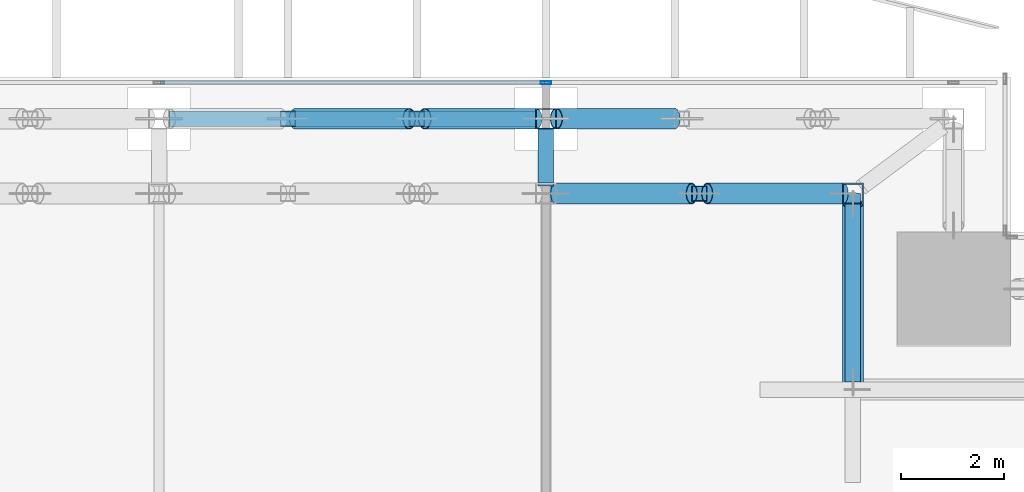
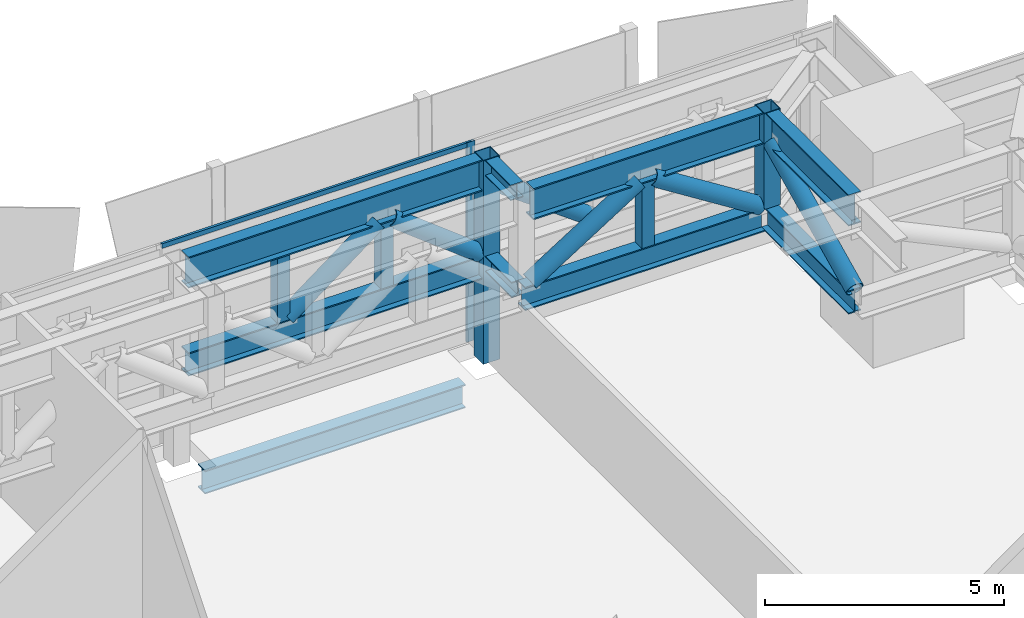
# One storey, part 26 of 39: 19 members, 3 beams, 1 element without a shape of its own.
"""IFC4 building model written with IfcOpenShell, lengths in metres."""

from ifc_helpers import new_model, si_unit, direction, frame, origin, origin_2d, place, context, subcontext, project, spatial, hollow_rectangle, hollow_circle, i_section, extrude, source, transform, mapped, material, material_profile, profile_set, type_object, element, aggregate, save


model = new_model("IFC4")

# Units and contexts
model_context = context("Model", 3, precision=1e-05, world=origin(), true_north=direction((0.0, 1.0)))
body_context = subcontext(model_context, "Body", "Model", "MODEL_VIEW")
ifc_project = project(units=[si_unit("LENGTHUNIT", "METRE"), si_unit("AREAUNIT", "SQUARE_METRE"), si_unit("VOLUMEUNIT", "CUBIC_METRE"), si_unit("PLANEANGLEUNIT", "RADIAN"), si_unit("MASSUNIT", "GRAM", prefix="KILO")], contexts=[model_context])

# Site, building, storey
site_placement = place(None, origin())
site = spatial("IfcSite", under=ifc_project, at=site_placement, CompositionType="ELEMENT")
building_placement = place(site_placement, origin())
building = spatial("IfcBuilding", under=site, at=building_placement, Name="Khomas Fold Tower", CompositionType="ELEMENT")
storey_placement = place(building_placement, frame((0.0, 0.0, 96.0)))
storey = spatial("IfcBuildingStorey", under=building, at=storey_placement, Name="L20", CompositionType="ELEMENT", Elevation=96.0)

# Beam
ifc_material_1 = material(Name="Steel S355", Category="steel")
ifc_material_profile_1 = material_profile(ifc_material_1, i_section(OverallWidth=0.300048828125, OverallDepth=0.60009765625, WebThickness=0.015380859375, FlangeThickness=0.030029296875, at=origin_2d()), Name="HE 600 B")
ifc_profile_set_1 = profile_set([ifc_material_profile_1], Name="Steel S355")
beam_type_1 = type_object("IfcBeamType", Name="HE 600 B spandrel SB1", PredefinedType="SPANDREL", material=ifc_profile_set_1)
shared_shape_1 = source(origin(), body_context, "Body", "SweptSolid", [
    extrude(i_section(OverallWidth=0.300048828125, OverallDepth=0.60009765625, WebThickness=0.015380859375, FlangeThickness=0.030029296875, at=origin_2d()), origin(), (0.0, 0.0, 1.0), 6.2998046875),
])
beam_1_placement = place(storey_placement, frame((35.10009765625, 53.199951171875, -0.699951171875), z_axis=(1.0, 0.0, 0.0), x_axis=(0.0, 1.0, 0.0)))
element("IfcBeam", 1, at=beam_1_placement, inside=storey, type_object=beam_type_1, Name="SB1", PredefinedType="SPANDREL", context=body_context, shape_type="MappedRepresentation", body=[
    mapped(shared_shape_1, transform((0.0, 0.0, 0.0))),
])

# Members
ifc_material_2 = material(Name="Steel S355", Category="steel")
ifc_material_profile_2 = material_profile(ifc_material_2, hollow_circle(Radius=0.203125, WallThickness=0.01611328125, at=origin_2d()), Name="CHS 406.4x16")
ifc_profile_set_2 = profile_set([ifc_material_profile_2], Name="Steel S355")
member_type_1 = type_object("IfcMemberType", Name="BELT TRUSS 1 DIAGONAL CHS 406.4x16", PredefinedType="BRACE", material=ifc_profile_set_2)
shared_shape_2 = source(origin(), body_context, "Body", "SweptSolid", [
    extrude(hollow_circle(Radius=0.203125, WallThickness=0.01611328125, at=origin_2d()), origin(), (0.0, 0.0, 1.0), 2.822998046875),
])
member_1_placement = place(storey_placement, frame((44.4833984375, 53.199951171875, 2.7451171875), z_axis=(-0.808866956084, 0.0, 0.587991706876), x_axis=(0.0, -1.0, 0.0)))
element("IfcMember", 2, at=member_1_placement, inside=storey, type_object=member_type_1, Name="BT1-D", PredefinedType="BRACE", context=body_context, shape_type="MappedRepresentation", body=[
    mapped(shared_shape_2, transform((0.0, 0.0, 0.0))),
])
ifc_material_3 = material(Name="Steel S355", Category="steel")
ifc_material_profile_3 = material_profile(ifc_material_3, hollow_rectangle(XDim=0.300048828125, YDim=0.300048828125, WallThickness=0.01611328125, at=origin_2d()), Name="SHS 300x300x16")
ifc_profile_set_3 = profile_set([ifc_material_profile_3], Name="Steel S355")
member_type_2 = type_object("IfcMemberType", Name="BELT TRUSS 1 MID POST SHS 300x300x16", PredefinedType="POST", material=ifc_profile_set_3)
shared_shape_3 = source(origin(), body_context, "Body", "SweptSolid", [
    extrude(hollow_rectangle(XDim=0.300048828125, YDim=0.300048828125, WallThickness=0.01611328125, at=origin_2d()), origin(), (0.0, 0.0, 1.0), 1.64990234375),
])
for number, where, z_axis, x_axis, name in (
    (3, (39.5, 53.199951171875, 2.75), (0.0, 0.0, 1.0), (1.0, 0.0, 0.0), "BT1-M"),
    (4, (37.0, 53.199951171875, 2.75), (0.0, 0.0, 1.0), (1.0, 0.0, 0.0), "BT1-M"),
    (5, (44.97509765625, 51.75, 2.75), (0.0, 0.0, 1.0), (1.0, 0.0, 0.0), "BT1-M"),
):
    element("IfcMember", number, at=place(storey_placement, frame(where, z_axis=z_axis, x_axis=x_axis)), inside=storey, type_object=member_type_2, Name=name, PredefinedType="POST", context=body_context, shape_type="MappedRepresentation", body=[
        mapped(shared_shape_3, transform((0.0, 0.0, 0.0))),
    ])
ifc_material_4 = material(Name="Steel S460M", Category="steel")
ifc_material_profile_4 = material_profile(ifc_material_4, i_section(OverallWidth=0.300048828125, OverallDepth=0.800048828125, WebThickness=0.017578125, FlangeThickness=0.032958984375, at=origin_2d()), Name="HE 800 B")
ifc_profile_set_4 = profile_set([ifc_material_profile_4], Name="Steel S460M")
member_type_3 = type_object("IfcMemberType", Name="BELT TRUSS 1 TOP CHORD HE 800 B", PredefinedType="CHORD", material=ifc_profile_set_4)
shared_shape_4 = source(origin(), body_context, "Body", "SweptSolid", [
    extrude(i_section(OverallWidth=0.300048828125, OverallDepth=0.800048828125, WebThickness=0.017578125, FlangeThickness=0.032958984375, at=origin_2d()), origin(), (0.0, 0.0, 1.0), 7.10009765625),
])
member_2_placement = place(storey_placement, frame((41.800048828125, 53.199951171875, 4.800048828125), z_axis=(-1.0, 0.0, 0.0), x_axis=(0.0, -1.0, 0.0)))
element("IfcMember", 6, at=member_2_placement, inside=storey, type_object=member_type_3, Name="BT1-CT", PredefinedType="CHORD", context=body_context, shape_type="MappedRepresentation", body=[
    mapped(shared_shape_4, transform((0.0, 0.0, 0.0))),
])
ifc_material_5 = material(Name="Steel S355", Category="steel")
ifc_material_profile_5 = material_profile(ifc_material_5, i_section(OverallWidth=0.300048828125, OverallDepth=0.60009765625, WebThickness=0.015380859375, FlangeThickness=0.030029296875, at=origin_2d()), Name="HE 600 B")
ifc_profile_set_5 = profile_set([ifc_material_profile_5], Name="Steel S355")
member_type_4 = type_object("IfcMemberType", Name="BELT TRUSS 1 BOTTOM CHORD HE 600 B", PredefinedType="CHORD", material=ifc_profile_set_5)
shared_shape_5 = source(origin(), body_context, "Body", "SweptSolid", [
    extrude(i_section(OverallWidth=0.300048828125, OverallDepth=0.60009765625, WebThickness=0.015380859375, FlangeThickness=0.030029296875, at=origin_2d()), origin(), (0.0, 0.0, 1.0), 7.10009765625),
])
member_3_placement = place(storey_placement, frame((41.800048828125, 53.199951171875, 2.449951171875), z_axis=(-1.0, 0.0, 0.0), x_axis=(0.0, -1.0, 0.0)))
element("IfcMember", 7, at=member_3_placement, inside=storey, type_object=member_type_4, Name="BT1-CB", PredefinedType="CHORD", context=body_context, shape_type="MappedRepresentation", body=[
    mapped(shared_shape_5, transform((0.0, 0.0, 0.0))),
])
shared_shape_6 = source(origin(), body_context, "Body", "SweptSolid", [
    extrude(hollow_circle(Radius=0.203125, WallThickness=0.01611328125, at=origin_2d()), origin(), (0.0, 0.0, 1.0), 2.71630859375),
])
member_4_placement = place(storey_placement, frame((41.800048828125, 53.199951171875, 2.7451171875), z_axis=(-0.791563625226, 0.0, 0.611086759159), x_axis=(0.0, -1.0, 0.0)))
element("IfcMember", 8, at=member_4_placement, inside=storey, type_object=member_type_1, Name="BT1-D", PredefinedType="BRACE", context=body_context, shape_type="MappedRepresentation", body=[
    mapped(shared_shape_6, transform((0.0, 0.0, 0.0))),
])
shared_shape_7 = source(origin(), body_context, "Body", "SweptSolid", [
    extrude(hollow_circle(Radius=0.203125, WallThickness=0.01611328125, at=origin_2d()), origin(), (0.0, 0.0, 1.0), 2.756103515625),
])
member_5_placement = place(storey_placement, frame((39.35009765625, 53.199951171875, 4.405029296875), z_axis=(-0.798296022167, 0.0, -0.602265274602), x_axis=(0.0, -1.0, 0.0)))
element("IfcMember", 9, at=member_5_placement, inside=storey, type_object=member_type_1, Name="BT1-D", PredefinedType="BRACE", context=body_context, shape_type="MappedRepresentation", body=[
    mapped(shared_shape_7, transform((0.0, 0.0, 0.0))),
])
shared_shape_8 = source(origin(), body_context, "Body", "SweptSolid", [
    extrude(i_section(OverallWidth=0.300048828125, OverallDepth=0.800048828125, WebThickness=0.017578125, FlangeThickness=0.032958984375, at=origin_2d()), origin(), (0.0, 0.0, 1.0), 5.550048828125),
])
member_6_placement = place(storey_placement, frame((47.75, 51.75, 4.800048828125), z_axis=(-1.0, 0.0, 0.0), x_axis=(0.0, -1.0, 0.0)))
element("IfcMember", 10, at=member_6_placement, inside=storey, type_object=member_type_3, Name="BT1-CT", PredefinedType="CHORD", context=body_context, shape_type="MappedRepresentation", body=[
    mapped(shared_shape_8, transform((0.0, 0.0, 0.0))),
])
shared_shape_9 = source(origin(), body_context, "Body", "SweptSolid", [
    extrude(i_section(OverallWidth=0.300048828125, OverallDepth=0.60009765625, WebThickness=0.015380859375, FlangeThickness=0.030029296875, at=origin_2d()), origin(), (0.0, 0.0, 1.0), 5.800048828125),
])
member_7_placement = place(storey_placement, frame((47.800048828125, 51.75, 2.449951171875), z_axis=(-1.0, 0.0, 0.0), x_axis=(0.0, -1.0, 0.0)))
element("IfcMember", 11, at=member_7_placement, inside=storey, type_object=member_type_4, Name="BT1-CB", PredefinedType="CHORD", context=body_context, shape_type="MappedRepresentation", body=[
    mapped(shared_shape_9, transform((0.0, 0.0, 0.0))),
])
shared_shape_10 = source(origin(), body_context, "Body", "SweptSolid", [
    extrude(hollow_circle(Radius=0.203125, WallThickness=0.01611328125, at=origin_2d()), origin(), (0.0, 0.0, 1.0), 3.105712890625),
])
for number, where, z_axis, x_axis, name in (
    (12, (47.75, 51.75, 2.7451171875), (-0.84519551241, 0.0, 0.534457244129), (0.0, -1.0, 0.0), "BT1-D"),
    (13, (44.824951171875, 51.75, 4.405029296875), (-0.84519551241, 0.0, -0.534457244129), (0.0, -1.0, 0.0), "BT1-D"),
):
    element("IfcMember", number, at=place(storey_placement, frame(where, z_axis=z_axis, x_axis=x_axis)), inside=storey, type_object=member_type_1, Name=name, PredefinedType="BRACE", context=body_context, shape_type="MappedRepresentation", body=[
        mapped(shared_shape_10, transform((0.0, 0.0, 0.0))),
    ])
ifc_material_6 = material(Name="Steel S460M", Category="steel")
ifc_material_profile_6 = material_profile(ifc_material_6, i_section(OverallWidth=0.300048828125, OverallDepth=0.800048828125, WebThickness=0.017578125, FlangeThickness=0.032958984375, at=origin_2d()), Name="HE 800 B")
ifc_profile_set_6 = profile_set([ifc_material_profile_6], Name="Steel S460M")
member_type_5 = type_object("IfcMemberType", Name="BELT TRUSS 1 TOP CHORD SHORT HE 800 B", PredefinedType="CHORD", material=ifc_profile_set_6)
shared_shape_11 = source(origin(), body_context, "Body", "SweptSolid", [
    extrude(i_section(OverallWidth=0.300048828125, OverallDepth=0.800048828125, WebThickness=0.017578125, FlangeThickness=0.032958984375, at=origin_2d()), origin(), (0.0, 0.0, 1.0), 3.449951171875),
])
member_8_placement = place(storey_placement, frame((47.949951171875, 51.550048828125, 4.800048828125), z_axis=(0.0, -1.0, 0.0), x_axis=(1.0, 0.0, 0.0)))
element("IfcMember", 14, at=member_8_placement, inside=storey, type_object=member_type_5, Name="BT1-CTS", PredefinedType="CHORD", context=body_context, shape_type="MappedRepresentation", body=[
    mapped(shared_shape_11, transform((0.0, 0.0, 0.0))),
])
ifc_material_7 = material(Name="Steel S355", Category="steel")
ifc_material_profile_7 = material_profile(ifc_material_7, hollow_circle(Radius=0.203125, WallThickness=0.01611328125, at=origin_2d()), Name="CHS 406.4x16")
ifc_profile_set_7 = profile_set([ifc_material_profile_7], Name="Steel S355")
member_type_6 = type_object("IfcMemberType", Name="BELT TRUSS 1 DIAGONAL LONG CHS 406.4x16", PredefinedType="BRACE", material=ifc_profile_set_7)
shared_shape_12 = source(origin(), body_context, "Body", "SweptSolid", [
    extrude(hollow_circle(Radius=0.203125, WallThickness=0.01611328125, at=origin_2d()), origin(), (0.0, 0.0, 1.0), 3.82861328125),
])
member_9_placement = place(storey_placement, frame((47.949951171875, 51.550048828125, 4.405029296875), z_axis=(0.0, -0.901121646238, -0.43356634865), x_axis=(1.0, 0.0, 0.0)))
element("IfcMember", 15, at=member_9_placement, inside=storey, type_object=member_type_6, Name="BT1-DL", PredefinedType="BRACE", context=body_context, shape_type="MappedRepresentation", body=[
    mapped(shared_shape_12, transform((0.0, 0.0, 0.0))),
])
ifc_material_8 = material(Name="Steel S355", Category="steel")
ifc_material_profile_8 = material_profile(ifc_material_8, i_section(OverallWidth=0.300048828125, OverallDepth=0.60009765625, WebThickness=0.015380859375, FlangeThickness=0.030029296875, at=origin_2d()), Name="HE 600 B")
ifc_profile_set_8 = profile_set([ifc_material_profile_8], Name="Steel S355")
member_type_7 = type_object("IfcMemberType", Name="BELT TRUSS 1 BOTTOM CHORD SHORT HE 600 B", PredefinedType="CHORD", material=ifc_profile_set_8)
shared_shape_13 = source(origin(), body_context, "Body", "SweptSolid", [
    extrude(i_section(OverallWidth=0.300048828125, OverallDepth=0.60009765625, WebThickness=0.015380859375, FlangeThickness=0.030029296875, at=origin_2d()), origin(), (0.0, 0.0, 1.0), 3.64990234375),
])
member_10_placement = place(storey_placement, frame((47.949951171875, 51.75, 2.449951171875), z_axis=(0.0, -1.0, 0.0), x_axis=(1.0, 0.0, 0.0)))
element("IfcMember", 16, at=member_10_placement, inside=storey, type_object=member_type_7, Name="BT1-CBS", PredefinedType="CHORD", context=body_context, shape_type="MappedRepresentation", body=[
    mapped(shared_shape_13, transform((0.0, 0.0, 0.0))),
])
ifc_material_9 = material(Name="Steel S460M", Category="steel")
ifc_material_profile_9 = material_profile(ifc_material_9, hollow_rectangle(XDim=0.39990234375, YDim=0.39990234375, WallThickness=0.02001953125, at=origin_2d()), Name="SHS 400x400x20")
ifc_profile_set_9 = profile_set([ifc_material_profile_9], Name="Steel S460M")
member_type_8 = type_object("IfcMemberType", Name="BELT TRUSS 1 COLUMN POST LONG SHS 400x400x20", PredefinedType="POST", material=ifc_profile_set_9)
shared_shape_14 = source(origin(), body_context, "Body", "SweptSolid", [
    extrude(hollow_rectangle(XDim=0.39990234375, YDim=0.39990234375, WallThickness=0.02001953125, at=origin_2d()), origin(), (0.0, 0.0, 1.0), 5.199951171875),
])
member_11_placement = place(storey_placement, frame((42.0, 53.199951171875, 0.0), z_axis=(0.0, 0.0, 1.0), x_axis=(1.0, 0.0, 0.0)))
element("IfcMember", 17, at=member_11_placement, inside=storey, type_object=member_type_8, Name="BT1-PL", PredefinedType="POST", context=body_context, shape_type="MappedRepresentation", body=[
    mapped(shared_shape_14, transform((0.0, 0.0, 0.0))),
])
ifc_material_10 = material(Name="Steel S460M", Category="steel")
ifc_material_profile_10 = material_profile(ifc_material_10, hollow_rectangle(XDim=0.39990234375, YDim=0.39990234375, WallThickness=0.02001953125, at=origin_2d()), Name="SHS 400x400x20")
ifc_profile_set_10 = profile_set([ifc_material_profile_10], Name="Steel S460M")
member_type_9 = type_object("IfcMemberType", Name="BELT TRUSS 1 COLUMN POST SHS 400x400x20", PredefinedType="POST", material=ifc_profile_set_10)
shared_shape_15 = source(origin(), body_context, "Body", "SweptSolid", [
    extrude(hollow_rectangle(XDim=0.39990234375, YDim=0.39990234375, WallThickness=0.02001953125, at=origin_2d()), origin(), (0.0, 0.0, 1.0), 2.449951171875),
])
member_12_placement = place(storey_placement, frame((47.949951171875, 51.75, 2.75), z_axis=(0.0, 0.0, 1.0), x_axis=(1.0, 0.0, 0.0)))
element("IfcMember", 18, at=member_12_placement, inside=storey, type_object=member_type_9, Name="BT1-P", PredefinedType="POST", context=body_context, shape_type="MappedRepresentation", body=[
    mapped(shared_shape_15, transform((0.0, 0.0, 0.0))),
])

# Beams
ifc_material_11 = material(Name="Steel S355", Category="steel")
ifc_material_profile_11 = material_profile(ifc_material_11, i_section(OverallWidth=0.300048828125, OverallDepth=0.39990234375, WebThickness=0.013427734375, FlangeThickness=0.02392578125, at=origin_2d()), Name="HE 400 B")
ifc_profile_set_11 = profile_set([ifc_material_profile_11], Name="Steel S355")
beam_type_2 = type_object("IfcBeamType", Name="BELT TRUSS 1 TOP STRUT HE 400 B", PredefinedType="BEAM", material=ifc_profile_set_11)
shared_shape_16 = source(origin(), body_context, "Body", "SweptSolid", [
    extrude(i_section(OverallWidth=0.300048828125, OverallDepth=0.39990234375, WebThickness=0.013427734375, FlangeThickness=0.02392578125, at=origin_2d()), origin(), (0.0, 0.0, 1.0), 1.050048828125),
])
beam_2_placement = place(storey_placement, frame((42.0, 51.949951171875, 5.0), z_axis=(0.0, 1.0, 0.0), x_axis=(-1.0, 0.0, 0.0)))
element("IfcBeam", 19, at=beam_2_placement, inside=storey, type_object=beam_type_2, Name="BT1-ST", PredefinedType="BEAM", context=body_context, shape_type="MappedRepresentation", body=[
    mapped(shared_shape_16, transform((0.0, 0.0, 0.0))),
])
ifc_material_12 = material(Name="Steel S355", Category="steel")
ifc_material_profile_12 = material_profile(ifc_material_12, i_section(OverallWidth=0.300048828125, OverallDepth=0.39990234375, WebThickness=0.013427734375, FlangeThickness=0.02392578125, at=origin_2d()), Name="HE 400 B")
ifc_profile_set_12 = profile_set([ifc_material_profile_12], Name="Steel S355")
beam_type_3 = type_object("IfcBeamType", Name="BELT TRUSS 1 BOTTOM STRUT HE 400 B", PredefinedType="BEAM", material=ifc_profile_set_12)
shared_shape_17 = source(origin(), body_context, "Body", "SweptSolid", [
    extrude(i_section(OverallWidth=0.300048828125, OverallDepth=0.39990234375, WebThickness=0.013427734375, FlangeThickness=0.02392578125, at=origin_2d()), origin(), (0.0, 0.0, 1.0), 1.10009765625),
])
beam_3_placement = place(storey_placement, frame((42.0, 51.89990234375, 2.550048828125), z_axis=(0.0, 1.0, 0.0), x_axis=(-1.0, 0.0, 0.0)))
element("IfcBeam", 20, at=beam_3_placement, inside=storey, type_object=beam_type_3, Name="BT1-SB", PredefinedType="BEAM", context=body_context, shape_type="MappedRepresentation", body=[
    mapped(shared_shape_17, transform((0.0, 0.0, 0.0))),
])

# Curtain wall, members
ifc_material_13 = material(Name="Aluminium framed double glazing", Category="aluminium")
curtain_wall_type = type_object("IfcCurtainWallType", Name="SK-Plant louvre wall CW4", PredefinedType="NOTDEFINED", material=ifc_material_13)
curtain_wall_placement = place(storey_placement, origin())
curtain_wall = element("IfcCurtainWall", 21, at=curtain_wall_placement, inside=storey, type_object=curtain_wall_type, Name="CW4 run L20 06-0", PredefinedType="NOTDEFINED")
ifc_material_14 = material(Name="Aluminium", Category="aluminium")
ifc_material_profile_13 = material_profile(ifc_material_14, hollow_rectangle(XDim=0.06005859375, YDim=0.199951171875, WallThickness=0.00390625, at=origin_2d()), Name="SK-Plant louvre wall mullion CW4-M")
ifc_profile_set_13 = profile_set([ifc_material_profile_13], Name="Aluminium")
member_type_10 = type_object("IfcMemberType", Name="SK-Plant louvre wall mullion CW4-M", PredefinedType="MULLION", material=ifc_profile_set_13)
shared_shape_18 = source(origin(), body_context, "Body", "SweptSolid", [
    extrude(hollow_rectangle(XDim=0.06005859375, YDim=0.199951171875, WallThickness=0.00390625, at=origin_2d()), origin(), (0.0, 0.0, 1.0), 5.10009765625),
])
member_13_placement = place(storey_placement, frame((42.0, 53.89990234375, 0.0), z_axis=(0.0, 0.0, 1.0), x_axis=(0.0, -1.0, 0.0)))
member_13 = element("IfcMember", 22, at=member_13_placement, type_object=member_type_10, Name="CW4 mullion 3", PredefinedType="MULLION", context=body_context, shape_type="MappedRepresentation", body=[
    mapped(shared_shape_18, transform((0.0, 0.0, 0.0))),
])
ifc_material_15 = material(Name="Aluminium", Category="aluminium")
ifc_material_profile_14 = material_profile(ifc_material_15, hollow_rectangle(XDim=0.06005859375, YDim=0.1201171875, WallThickness=0.00390625, at=origin_2d()), Name="SK-Plant louvre wall transom CW4-T")
ifc_profile_set_14 = profile_set([ifc_material_profile_14], Name="Aluminium")
member_type_11 = type_object("IfcMemberType", Name="SK-Plant louvre wall transom CW4-T", PredefinedType="USERDEFINED", material=ifc_profile_set_14)
shared_shape_19 = source(origin(), body_context, "Body", "SweptSolid", [
    extrude(hollow_rectangle(XDim=0.06005859375, YDim=0.1201171875, WallThickness=0.00390625, at=origin_2d()), origin(), (0.0, 0.0, 1.0), 7.43994140625),
])
member_14_placement = place(storey_placement, frame((41.969970703125, 53.89990234375, 5.0400390625), z_axis=(-1.0, 0.0, 0.0), x_axis=(0.0, -1.0, 0.0)))
member_14 = element("IfcMember", 23, at=member_14_placement, type_object=member_type_11, Name="CW4 transom 3", ObjectType="TRANSOM", PredefinedType="USERDEFINED", context=body_context, shape_type="MappedRepresentation", body=[
    mapped(shared_shape_19, transform((0.0, 0.0, 0.0))),
])
aggregate(curtain_wall, [member_13, member_14])

save(model, "model.ifc")
